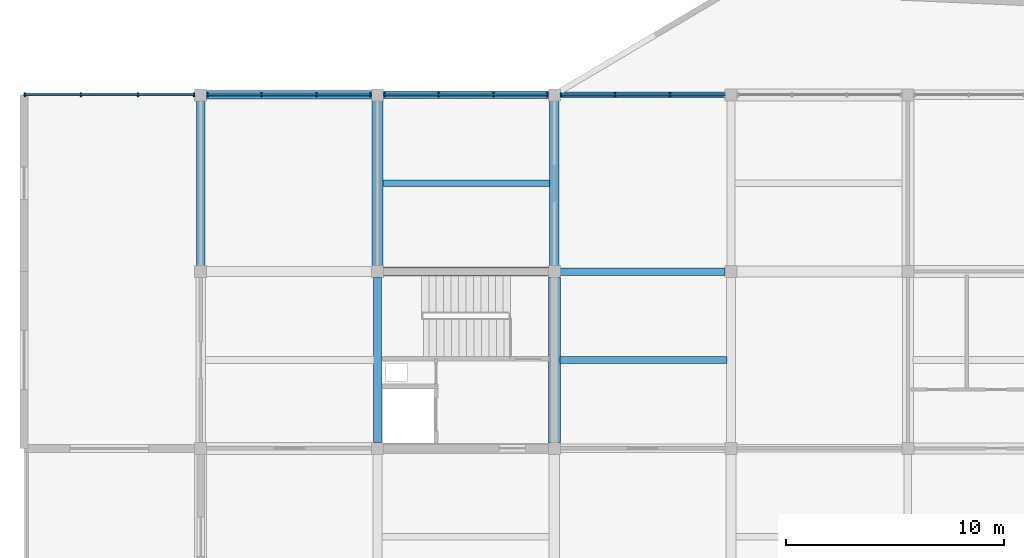
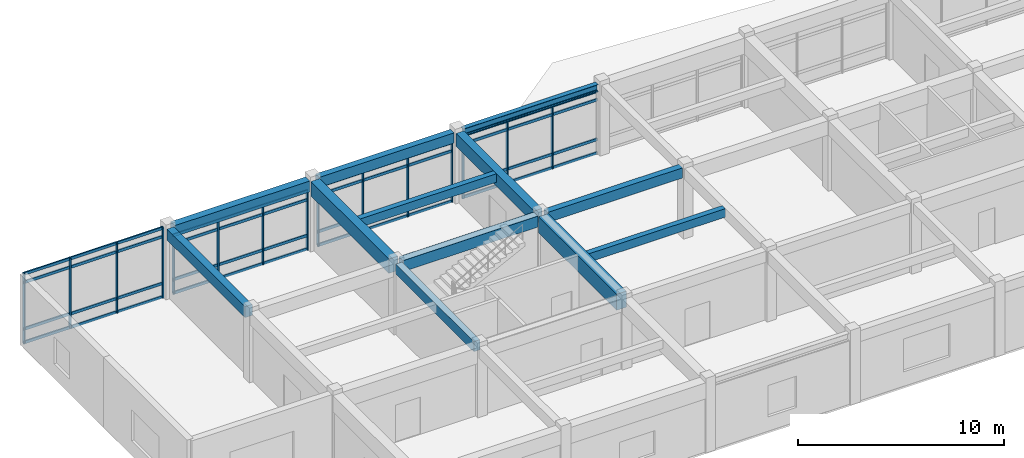
# One storey, part 9 of 42: 31 members, 12 beams, 4 elements without a shape of their own.
"""IFC4 building model written with IfcOpenShell, lengths in metres."""

from ifc_helpers import new_model, si_unit, direction, frame, origin, origin_2d, place, context, subcontext, project, spatial, rectangle, i_section, extrude, material, layer, layer_set, material_profile, profile_set, type_object, element, aggregate, save


model = new_model("IFC4")

# Units and contexts
model_context = context("Model", 3, precision=1e-05, world=origin(), true_north=direction((0.0, 1.0)))
body_context = subcontext(model_context, "Body", "Model", "MODEL_VIEW")
ifc_project = project(units=[si_unit("LENGTHUNIT", "METRE"), si_unit("AREAUNIT", "SQUARE_METRE"), si_unit("VOLUMEUNIT", "CUBIC_METRE"), si_unit("PLANEANGLEUNIT", "RADIAN"), si_unit("MASSUNIT", "GRAM", prefix="KILO")], contexts=[model_context])

# Site, building, storey
site_placement = place(None, origin())
site = spatial("IfcSite", under=ifc_project, at=site_placement, CompositionType="ELEMENT")
building_placement = place(site_placement, origin())
building = spatial("IfcBuilding", under=site, at=building_placement, Name="Vaudrelin Polytechnic", CompositionType="ELEMENT")
storey_placement = place(building_placement, frame((0.0, 0.0, 18.530029296875)))
storey = spatial("IfcBuildingStorey", under=building, at=storey_placement, Name="L04", CompositionType="ELEMENT", Elevation=18.530029296875)

# Beams
ifc_material_1 = material(Name="Concrete 40 MPa", Category="concrete")
ifc_material_profile_1 = material_profile(ifc_material_1, rectangle(XDim=0.35009765625, YDim=0.60009765625, at=origin_2d()), Name="RC350x600")
ifc_profile_set_1 = profile_set([ifc_material_profile_1], Name="Concrete 40 MPa")
beam_type_1 = type_object("IfcBeamType", Name="BM-BM-RC3560", PredefinedType="BEAM", material=ifc_profile_set_1)
beam_1_placement = place(storey_placement, frame((16.199951171875, 105.56005859375, 3.85986328125), z_axis=(0.0, 1.0, 0.0), x_axis=(-1.0, 0.0, 0.0)))
element("IfcBeam", 1, at=beam_1_placement, inside=storey, type_object=beam_type_1, Name="L04 Y-beam 3-14", PredefinedType="BEAM", context=body_context, shape_type="SweptSolid", body=[
    extrude(rectangle(XDim=0.35009765625, YDim=0.60009765625, at=origin_2d()), origin(), (0.0, 0.0, 1.0), 7.579833984375),
])
beam_2_placement = place(storey_placement, frame((16.470947265625, 121.5, 3.85986328125), z_axis=(1.0, 0.0, 0.0), x_axis=(0.0, 1.0, 0.0)))
element("IfcBeam", 2, at=beam_2_placement, inside=storey, type_object=beam_type_1, Name="L04 X-beam 3-16", PredefinedType="BEAM", context=body_context, shape_type="SweptSolid", body=[
    extrude(rectangle(XDim=0.35009765625, YDim=0.60009765625, at=origin_2d()), origin(), (0.0, 0.0, 1.0), 7.55810546875),
])
beam_3_placement = place(storey_placement, frame((24.571044921875, 113.39990234375, 3.85986328125), z_axis=(1.0, 0.0, 0.0), x_axis=(0.0, 1.0, 0.0)))
element("IfcBeam", 3, at=beam_3_placement, inside=storey, type_object=beam_type_1, Name="L04 X-beam 4-15", PredefinedType="BEAM", context=body_context, shape_type="SweptSolid", body=[
    extrude(rectangle(XDim=0.35009765625, YDim=0.60009765625, at=origin_2d()), origin(), (0.0, 0.0, 1.0), 7.557861328125),
])
ifc_material_profile_2 = material_profile(ifc_material_1, rectangle(XDim=0.39990234375, YDim=0.64990234375, at=origin_2d()), Name="RC400x650")
ifc_profile_set_2 = profile_set([ifc_material_profile_2], Name="Concrete 40 MPa")
beam_type_2 = type_object("IfcBeamType", Name="BM-BM-RC4065", PredefinedType="BEAM", material=ifc_profile_set_2)
beam_4_placement = place(storey_placement, frame((8.10009765625, 113.659912109375, 3.8349609375), z_axis=(0.0, 1.0, 0.0), x_axis=(-1.0, 0.0, 0.0)))
element("IfcBeam", 4, at=beam_4_placement, inside=storey, type_object=beam_type_2, Name="L04 Y-beam 2-15", PredefinedType="BEAM", context=body_context, shape_type="SweptSolid", body=[
    extrude(rectangle(XDim=0.39990234375, YDim=0.64990234375, at=origin_2d()), origin(), (0.0, 0.0, 1.0), 7.580078125),
])
beam_5_placement = place(storey_placement, frame((8.37109375, 121.5, 3.8349609375), z_axis=(1.0, 0.0, 0.0), x_axis=(0.0, 1.0, 0.0)))
element("IfcBeam", 5, at=beam_5_placement, inside=storey, type_object=beam_type_2, Name="L04 X-beam 2-16", PredefinedType="BEAM", context=body_context, shape_type="SweptSolid", body=[
    extrude(rectangle(XDim=0.39990234375, YDim=0.64990234375, at=origin_2d()), origin(), (0.0, 0.0, 1.0), 7.557861328125),
])
beam_6_placement = place(storey_placement, frame((16.470947265625, 113.39990234375, 3.8349609375), z_axis=(1.0, 0.0, 0.0), x_axis=(0.0, 1.0, 0.0)))
element("IfcBeam", 6, at=beam_6_placement, inside=storey, type_object=beam_type_2, Name="L04 X-beam 3-15", PredefinedType="BEAM", context=body_context, shape_type="SweptSolid", body=[
    extrude(rectangle(XDim=0.39990234375, YDim=0.64990234375, at=origin_2d()), origin(), (0.0, 0.0, 1.0), 7.55810546875),
])
ifc_material_profile_3 = material_profile(ifc_material_1, rectangle(XDim=0.449951171875, YDim=0.75, at=origin_2d()), Name="RC450x750")
ifc_profile_set_3 = profile_set([ifc_material_profile_3], Name="Concrete 40 MPa")
beam_type_3 = type_object("IfcBeamType", Name="BM-BM-RC4575", PredefinedType="BEAM", material=ifc_profile_set_3)
beam_7_placement = place(storey_placement, frame((24.300048828125, 113.659912109375, 3.784912109375), z_axis=(0.0, 1.0, 0.0), x_axis=(-1.0, 0.0, 0.0)))
element("IfcBeam", 7, at=beam_7_placement, inside=storey, type_object=beam_type_3, Name="L04 Y-beam 4-15", PredefinedType="BEAM", context=body_context, shape_type="SweptSolid", body=[
    extrude(rectangle(XDim=0.449951171875, YDim=0.75, at=origin_2d()), origin(), (0.0, 0.0, 1.0), 7.580078125),
])
ifc_material_profile_4 = material_profile(ifc_material_1, rectangle(XDim=0.5, YDim=0.85009765625, at=origin_2d()), Name="RC500x850")
ifc_profile_set_4 = profile_set([ifc_material_profile_4], Name="Concrete 40 MPa")
beam_type_4 = type_object("IfcBeamType", Name="BM-BM-RC5085", PredefinedType="BEAM", material=ifc_profile_set_4)
beam_8_placement = place(storey_placement, frame((16.199951171875, 113.659912109375, 3.73486328125), z_axis=(0.0, 1.0, 0.0), x_axis=(-1.0, 0.0, 0.0)))
element("IfcBeam", 8, at=beam_8_placement, inside=storey, type_object=beam_type_4, Name="L04 Y-beam 3-15", PredefinedType="BEAM", context=body_context, shape_type="SweptSolid", body=[
    extrude(rectangle(XDim=0.5, YDim=0.85009765625, at=origin_2d()), origin(), (0.0, 0.0, 1.0), 7.580078125),
])
ifc_material_2 = material(Name="Concrete 50 MPa", Category="concrete")
ifc_material_profile_5 = material_profile(ifc_material_2, rectangle(XDim=0.550048828125, YDim=0.949951171875, at=origin_2d()), Name="RC550x950")
ifc_profile_set_5 = profile_set([ifc_material_profile_5], Name="Concrete 50 MPa")
beam_type_5 = type_object("IfcBeamType", Name="BM-BM-RC5595", PredefinedType="BEAM", material=ifc_profile_set_5)
beam_9_placement = place(storey_placement, frame((24.300048828125, 105.56005859375, 3.68505859375), z_axis=(0.0, 1.0, 0.0), x_axis=(-1.0, 0.0, 0.0)))
element("IfcBeam", 9, at=beam_9_placement, inside=storey, type_object=beam_type_5, Name="L04 Y-beam 4-14", PredefinedType="BEAM", context=body_context, shape_type="SweptSolid", body=[
    extrude(rectangle(XDim=0.550048828125, YDim=0.949951171875, at=origin_2d()), origin(), (0.0, 0.0, 1.0), 7.579833984375),
])
ifc_material_3 = material(Name="Steel CSA G40.21 350WT", Category="steel")
ifc_material_profile_6 = material_profile(ifc_material_3, i_section(OverallWidth=0.260009765625, OverallDepth=0.4150390625, WebThickness=0.010009765625, FlangeThickness=0.016845703125, FilletRadius=0.01611328125, at=origin_2d()), Name="W410x100")
ifc_profile_set_6 = profile_set([ifc_material_profile_6], Name="Steel CSA G40.21 350WT")
beam_type_6 = type_object("IfcBeamType", Name="BM-BM-W410H", PredefinedType="SPANDREL", material=ifc_profile_set_6)
beam_10_placement = place(storey_placement, frame((24.571044921875, 121.5, 3.952392578125), z_axis=(1.0, 0.0, 0.0), x_axis=(0.0, 1.0, 0.0)))
element("IfcBeam", 10, at=beam_10_placement, inside=storey, type_object=beam_type_6, Name="L04 X-beam 4-16", PredefinedType="SPANDREL", context=body_context, shape_type="SweptSolid", body=[
    extrude(i_section(OverallWidth=0.260009765625, OverallDepth=0.4150390625, WebThickness=0.010009765625, FlangeThickness=0.016845703125, FilletRadius=0.01611328125, at=origin_2d()), origin(), (0.0, 0.0, 1.0), 7.557861328125),
])
ifc_material_profile_7 = material_profile(ifc_material_1, rectangle(XDim=0.300048828125, YDim=0.5, at=origin_2d()), Name="RC300x500")
ifc_profile_set_7 = profile_set([ifc_material_profile_7], Name="Concrete 40 MPa")
beam_type_7 = type_object("IfcBeamType", Name="BM-JS-RC3050", PredefinedType="JOIST", material=ifc_profile_set_7)
for number, where, z_axis, x_axis, name in (
    (11, (16.446044921875, 117.449951171875, 3.909912109375), (1.0, 0.0, 0.0), (0.0, 1.0, 0.0), "L04 floor joist 3-15"),
    (12, (24.571044921875, 109.35009765625, 3.909912109375), (1.0, 0.0, 0.0), (0.0, 1.0, 0.0), "L04 floor joist 4-14"),
):
    element("IfcBeam", number, at=place(storey_placement, frame(where, z_axis=z_axis, x_axis=x_axis)), inside=storey, type_object=beam_type_7, Name=name, PredefinedType="JOIST", context=body_context, shape_type="SweptSolid", body=[
        extrude(rectangle(XDim=0.300048828125, YDim=0.5, at=origin_2d()), origin(), (0.0, 0.0, 1.0), 7.633056640625),
    ])

# Curtain wall, members
ifc_material_4 = material(Name="Thermally broken anodised aluminium AA 6063-T6 and low-e triple glazing", Category="aluminium")
ifc_layer = layer(ifc_material_4, 0.199951171875)
ifc_layer_set = layer_set([ifc_layer], Name="Thermally broken anodised aluminium AA 6063-T6 and low-e triple glazing")
curtain_wall_type = type_object("IfcCurtainWallType", Name="CW-CW-STU", PredefinedType="USERDEFINED", material=ifc_layer_set)
curtain_wall_1_placement = place(storey_placement, origin())
curtain_wall_1 = element("IfcCurtainWall", 13, at=curtain_wall_1_placement, inside=storey, type_object=curtain_wall_type, Name="Curtain wall L04 N_V5_00", ObjectType="CURTAIN WALL", PredefinedType="USERDEFINED")
ifc_material_5 = material(Name="Anodised aluminium AA 6063-T6", Category="aluminium")
ifc_material_profile_8 = material_profile(ifc_material_5, rectangle(XDim=0.06494140625, YDim=0.179931640625, at=origin_2d()), Name="CWM-65x180")
ifc_profile_set_8 = profile_set([ifc_material_profile_8], Name="Anodised aluminium AA 6063-T6")
member_type_1 = type_object("IfcMemberType", Name="MEM-CWM-180", PredefinedType="MULLION", material=ifc_profile_set_8)
member_1_placement = place(storey_placement, frame((0.0400390625, 121.5, 0.0), z_axis=(0.0, 0.0, 1.0), x_axis=(1.0, 0.0, 0.0)))
member_1 = element("IfcMember", 14, at=member_1_placement, type_object=member_type_1, Name="N_V5_00 mullion 1", PredefinedType="MULLION", context=body_context, shape_type="SweptSolid", body=[
    extrude(rectangle(XDim=0.06494140625, YDim=0.179931640625, at=origin_2d()), origin(), (0.0, 0.0, 1.0), 4.161865234375),
])
member_2_placement = place(storey_placement, frame((2.60888671875, 121.5, 0.0), z_axis=(0.0, 0.0, 1.0), x_axis=(1.0, 0.0, 0.0)))
member_2 = element("IfcMember", 15, at=member_2_placement, type_object=member_type_1, Name="N_V5_00 mullion 2", PredefinedType="MULLION", context=body_context, shape_type="SweptSolid", body=[
    extrude(rectangle(XDim=0.06494140625, YDim=0.179931640625, at=origin_2d()), origin(), (0.0, 0.0, 1.0), 4.161865234375),
])
member_3_placement = place(storey_placement, frame((5.218017578125, 121.5, 0.0), z_axis=(0.0, 0.0, 1.0), x_axis=(1.0, 0.0, 0.0)))
member_3 = element("IfcMember", 16, at=member_3_placement, type_object=member_type_1, Name="N_V5_00 mullion 3", PredefinedType="MULLION", context=body_context, shape_type="SweptSolid", body=[
    extrude(rectangle(XDim=0.06494140625, YDim=0.179931640625, at=origin_2d()), origin(), (0.0, 0.0, 1.0), 4.161865234375),
])
member_4_placement = place(storey_placement, frame((7.787109375, 121.5, 0.0), z_axis=(0.0, 0.0, 1.0), x_axis=(1.0, 0.0, 0.0)))
member_4 = element("IfcMember", 17, at=member_4_placement, type_object=member_type_1, Name="N_V5_00 mullion 4", PredefinedType="MULLION", context=body_context, shape_type="SweptSolid", body=[
    extrude(rectangle(XDim=0.06494140625, YDim=0.179931640625, at=origin_2d()), origin(), (0.0, 0.0, 1.0), 4.161865234375),
])

curtain_wall_2_placement = place(storey_placement, origin())
curtain_wall_2 = element("IfcCurtainWall", 18, at=curtain_wall_2_placement, inside=storey, type_object=curtain_wall_type, Name="Curtain wall L04 N_V5_01", ObjectType="CURTAIN WALL", PredefinedType="USERDEFINED")
member_5_placement = place(storey_placement, frame((8.4130859375, 121.5, 0.0), z_axis=(0.0, 0.0, 1.0), x_axis=(1.0, 0.0, 0.0)))
member_5 = element("IfcMember", 19, at=member_5_placement, type_object=member_type_1, Name="N_V5_01 mullion 1", PredefinedType="MULLION", context=body_context, shape_type="SweptSolid", body=[
    extrude(rectangle(XDim=0.06494140625, YDim=0.179931640625, at=origin_2d()), origin(), (0.0, 0.0, 1.0), 3.511962890625),
])
member_6_placement = place(storey_placement, frame((10.89111328125, 121.5, 0.0), z_axis=(0.0, 0.0, 1.0), x_axis=(1.0, 0.0, 0.0)))
member_6 = element("IfcMember", 20, at=member_6_placement, type_object=member_type_1, Name="N_V5_01 mullion 2", PredefinedType="MULLION", context=body_context, shape_type="SweptSolid", body=[
    extrude(rectangle(XDim=0.06494140625, YDim=0.179931640625, at=origin_2d()), origin(), (0.0, 0.0, 1.0), 3.511962890625),
])
member_7_placement = place(storey_placement, frame((13.408935546875, 121.5, 0.0), z_axis=(0.0, 0.0, 1.0), x_axis=(1.0, 0.0, 0.0)))
member_7 = element("IfcMember", 21, at=member_7_placement, type_object=member_type_1, Name="N_V5_01 mullion 3", PredefinedType="MULLION", context=body_context, shape_type="SweptSolid", body=[
    extrude(rectangle(XDim=0.06494140625, YDim=0.179931640625, at=origin_2d()), origin(), (0.0, 0.0, 1.0), 3.511962890625),
])
member_8_placement = place(storey_placement, frame((15.886962890625, 121.5, 0.0), z_axis=(0.0, 0.0, 1.0), x_axis=(1.0, 0.0, 0.0)))
member_8 = element("IfcMember", 22, at=member_8_placement, type_object=member_type_1, Name="N_V5_01 mullion 4", PredefinedType="MULLION", context=body_context, shape_type="SweptSolid", body=[
    extrude(rectangle(XDim=0.06494140625, YDim=0.179931640625, at=origin_2d()), origin(), (0.0, 0.0, 1.0), 3.511962890625),
])

curtain_wall_3_placement = place(storey_placement, origin())
curtain_wall_3 = element("IfcCurtainWall", 23, at=curtain_wall_3_placement, inside=storey, type_object=curtain_wall_type, Name="Curtain wall L04 N_V5_02", ObjectType="CURTAIN WALL", PredefinedType="USERDEFINED")
member_9_placement = place(storey_placement, frame((16.512939453125, 121.5, 0.0), z_axis=(0.0, 0.0, 1.0), x_axis=(1.0, 0.0, 0.0)))
member_9 = element("IfcMember", 24, at=member_9_placement, type_object=member_type_1, Name="N_V5_02 mullion 1", PredefinedType="MULLION", context=body_context, shape_type="SweptSolid", body=[
    extrude(rectangle(XDim=0.06494140625, YDim=0.179931640625, at=origin_2d()), origin(), (0.0, 0.0, 1.0), 3.56201171875),
])
member_10_placement = place(storey_placement, frame((18.990966796875, 121.5, 0.0), z_axis=(0.0, 0.0, 1.0), x_axis=(1.0, 0.0, 0.0)))
member_10 = element("IfcMember", 25, at=member_10_placement, type_object=member_type_1, Name="N_V5_02 mullion 2", PredefinedType="MULLION", context=body_context, shape_type="SweptSolid", body=[
    extrude(rectangle(XDim=0.06494140625, YDim=0.179931640625, at=origin_2d()), origin(), (0.0, 0.0, 1.0), 3.56201171875),
])
member_11_placement = place(storey_placement, frame((21.509033203125, 121.5, 0.0), z_axis=(0.0, 0.0, 1.0), x_axis=(1.0, 0.0, 0.0)))
member_11 = element("IfcMember", 26, at=member_11_placement, type_object=member_type_1, Name="N_V5_02 mullion 3", PredefinedType="MULLION", context=body_context, shape_type="SweptSolid", body=[
    extrude(rectangle(XDim=0.06494140625, YDim=0.179931640625, at=origin_2d()), origin(), (0.0, 0.0, 1.0), 3.56201171875),
])
member_12_placement = place(storey_placement, frame((23.987060546875, 121.5, 0.0), z_axis=(0.0, 0.0, 1.0), x_axis=(1.0, 0.0, 0.0)))
member_12 = element("IfcMember", 27, at=member_12_placement, type_object=member_type_1, Name="N_V5_02 mullion 4", PredefinedType="MULLION", context=body_context, shape_type="SweptSolid", body=[
    extrude(rectangle(XDim=0.06494140625, YDim=0.179931640625, at=origin_2d()), origin(), (0.0, 0.0, 1.0), 3.56201171875),
])

curtain_wall_4_placement = place(storey_placement, origin())
curtain_wall_4 = element("IfcCurtainWall", 28, at=curtain_wall_4_placement, inside=storey, type_object=curtain_wall_type, Name="Curtain wall L04 N_V5_03", ObjectType="CURTAIN WALL", PredefinedType="USERDEFINED")
member_13_placement = place(storey_placement, frame((24.613037109375, 121.5, 0.0), z_axis=(0.0, 0.0, 1.0), x_axis=(1.0, 0.0, 0.0)))
member_13 = element("IfcMember", 29, at=member_13_placement, type_object=member_type_1, Name="N_V5_03 mullion 1", PredefinedType="MULLION", context=body_context, shape_type="SweptSolid", body=[
    extrude(rectangle(XDim=0.06494140625, YDim=0.179931640625, at=origin_2d()), origin(), (0.0, 0.0, 1.0), 3.7470703125),
])
member_14_placement = place(storey_placement, frame((27.091064453125, 121.5, 0.0), z_axis=(0.0, 0.0, 1.0), x_axis=(1.0, 0.0, 0.0)))
member_14 = element("IfcMember", 30, at=member_14_placement, type_object=member_type_1, Name="N_V5_03 mullion 2", PredefinedType="MULLION", context=body_context, shape_type="SweptSolid", body=[
    extrude(rectangle(XDim=0.06494140625, YDim=0.179931640625, at=origin_2d()), origin(), (0.0, 0.0, 1.0), 3.7470703125),
])
member_15_placement = place(storey_placement, frame((29.60888671875, 121.5, 0.0), z_axis=(0.0, 0.0, 1.0), x_axis=(1.0, 0.0, 0.0)))
member_15 = element("IfcMember", 31, at=member_15_placement, type_object=member_type_1, Name="N_V5_03 mullion 3", PredefinedType="MULLION", context=body_context, shape_type="SweptSolid", body=[
    extrude(rectangle(XDim=0.06494140625, YDim=0.179931640625, at=origin_2d()), origin(), (0.0, 0.0, 1.0), 3.7470703125),
])

# Member
ifc_material_profile_9 = material_profile(ifc_material_5, rectangle(XDim=0.074951171875, YDim=0.1650390625, at=origin_2d()), Name="CWT-75x165")
ifc_profile_set_9 = profile_set([ifc_material_profile_9], Name="Anodised aluminium AA 6063-T6")
member_type_2 = type_object("IfcMemberType", Name="MEM-CWT-165", PredefinedType="USERDEFINED", material=ifc_profile_set_9)
member_16_placement = place(storey_placement, frame((0.0, 121.5, 0.050048828125), z_axis=(1.0, 0.0, 0.0), x_axis=(0.0, 1.0, 0.0)))
member_16 = element("IfcMember", 32, at=member_16_placement, type_object=member_type_2, Name="N_V5_00 transom 1", ObjectType="TRANSOM", PredefinedType="USERDEFINED", context=body_context, shape_type="SweptSolid", body=[
    extrude(rectangle(XDim=0.074951171875, YDim=0.1650390625, at=origin_2d()), origin(), (0.0, 0.0, 1.0), 7.826904296875),
])

member_17_placement = place(storey_placement, frame((0.0, 121.5, 0.849853515625), z_axis=(1.0, 0.0, 0.0), x_axis=(0.0, 1.0, 0.0)))
member_17 = element("IfcMember", 33, at=member_17_placement, type_object=member_type_2, Name="N_V5_00 transom 2", ObjectType="TRANSOM", PredefinedType="USERDEFINED", context=body_context, shape_type="SweptSolid", body=[
    extrude(rectangle(XDim=0.074951171875, YDim=0.1650390625, at=origin_2d()), origin(), (0.0, 0.0, 1.0), 7.826904296875),
])

member_18_placement = place(storey_placement, frame((0.0, 121.5, 3.612060546875), z_axis=(1.0, 0.0, 0.0), x_axis=(0.0, 1.0, 0.0)))
member_18 = element("IfcMember", 34, at=member_18_placement, type_object=member_type_2, Name="N_V5_00 transom 3", ObjectType="TRANSOM", PredefinedType="USERDEFINED", context=body_context, shape_type="SweptSolid", body=[
    extrude(rectangle(XDim=0.074951171875, YDim=0.1650390625, at=origin_2d()), origin(), (0.0, 0.0, 1.0), 7.826904296875),
])

member_19_placement = place(storey_placement, frame((0.0, 121.5, 4.112060546875), z_axis=(1.0, 0.0, 0.0), x_axis=(0.0, 1.0, 0.0)))
member_19 = element("IfcMember", 35, at=member_19_placement, type_object=member_type_2, Name="N_V5_00 transom 4", ObjectType="TRANSOM", PredefinedType="USERDEFINED", context=body_context, shape_type="SweptSolid", body=[
    extrude(rectangle(XDim=0.074951171875, YDim=0.1650390625, at=origin_2d()), origin(), (0.0, 0.0, 1.0), 7.826904296875),
])

aggregate(curtain_wall_1, [member_1, member_2, member_3, member_4, member_16, member_17, member_18, member_19])

member_20_placement = place(storey_placement, frame((8.373046875, 121.5, 0.050048828125), z_axis=(1.0, 0.0, 0.0), x_axis=(0.0, 1.0, 0.0)))
member_20 = element("IfcMember", 36, at=member_20_placement, type_object=member_type_2, Name="N_V5_01 transom 1", ObjectType="TRANSOM", PredefinedType="USERDEFINED", context=body_context, shape_type="SweptSolid", body=[
    extrude(rectangle(XDim=0.074951171875, YDim=0.1650390625, at=origin_2d()), origin(), (0.0, 0.0, 1.0), 7.553955078125),
])

member_21_placement = place(storey_placement, frame((8.373046875, 121.5, 0.849853515625), z_axis=(1.0, 0.0, 0.0), x_axis=(0.0, 1.0, 0.0)))
member_21 = element("IfcMember", 37, at=member_21_placement, type_object=member_type_2, Name="N_V5_01 transom 2", ObjectType="TRANSOM", PredefinedType="USERDEFINED", context=body_context, shape_type="SweptSolid", body=[
    extrude(rectangle(XDim=0.074951171875, YDim=0.1650390625, at=origin_2d()), origin(), (0.0, 0.0, 1.0), 7.553955078125),
])

member_22_placement = place(storey_placement, frame((8.373046875, 121.5, 2.9619140625), z_axis=(1.0, 0.0, 0.0), x_axis=(0.0, 1.0, 0.0)))
member_22 = element("IfcMember", 38, at=member_22_placement, type_object=member_type_2, Name="N_V5_01 transom 3", ObjectType="TRANSOM", PredefinedType="USERDEFINED", context=body_context, shape_type="SweptSolid", body=[
    extrude(rectangle(XDim=0.074951171875, YDim=0.1650390625, at=origin_2d()), origin(), (0.0, 0.0, 1.0), 7.553955078125),
])

member_23_placement = place(storey_placement, frame((8.373046875, 121.5, 3.4619140625), z_axis=(1.0, 0.0, 0.0), x_axis=(0.0, 1.0, 0.0)))
member_23 = element("IfcMember", 39, at=member_23_placement, type_object=member_type_2, Name="N_V5_01 transom 4", ObjectType="TRANSOM", PredefinedType="USERDEFINED", context=body_context, shape_type="SweptSolid", body=[
    extrude(rectangle(XDim=0.074951171875, YDim=0.1650390625, at=origin_2d()), origin(), (0.0, 0.0, 1.0), 7.553955078125),
])

aggregate(curtain_wall_2, [member_5, member_6, member_7, member_8, member_20, member_21, member_22, member_23])

member_24_placement = place(storey_placement, frame((16.472900390625, 121.5, 0.050048828125), z_axis=(1.0, 0.0, 0.0), x_axis=(0.0, 1.0, 0.0)))
member_24 = element("IfcMember", 40, at=member_24_placement, type_object=member_type_2, Name="N_V5_02 transom 1", ObjectType="TRANSOM", PredefinedType="USERDEFINED", context=body_context, shape_type="SweptSolid", body=[
    extrude(rectangle(XDim=0.074951171875, YDim=0.1650390625, at=origin_2d()), origin(), (0.0, 0.0, 1.0), 7.55419921875),
])

member_25_placement = place(storey_placement, frame((16.472900390625, 121.5, 0.849853515625), z_axis=(1.0, 0.0, 0.0), x_axis=(0.0, 1.0, 0.0)))
member_25 = element("IfcMember", 41, at=member_25_placement, type_object=member_type_2, Name="N_V5_02 transom 2", ObjectType="TRANSOM", PredefinedType="USERDEFINED", context=body_context, shape_type="SweptSolid", body=[
    extrude(rectangle(XDim=0.074951171875, YDim=0.1650390625, at=origin_2d()), origin(), (0.0, 0.0, 1.0), 7.55419921875),
])

member_26_placement = place(storey_placement, frame((16.472900390625, 121.5, 3.011962890625), z_axis=(1.0, 0.0, 0.0), x_axis=(0.0, 1.0, 0.0)))
member_26 = element("IfcMember", 42, at=member_26_placement, type_object=member_type_2, Name="N_V5_02 transom 3", ObjectType="TRANSOM", PredefinedType="USERDEFINED", context=body_context, shape_type="SweptSolid", body=[
    extrude(rectangle(XDim=0.074951171875, YDim=0.1650390625, at=origin_2d()), origin(), (0.0, 0.0, 1.0), 7.55419921875),
])

member_27_placement = place(storey_placement, frame((16.472900390625, 121.5, 3.511962890625), z_axis=(1.0, 0.0, 0.0), x_axis=(0.0, 1.0, 0.0)))
member_27 = element("IfcMember", 43, at=member_27_placement, type_object=member_type_2, Name="N_V5_02 transom 4", ObjectType="TRANSOM", PredefinedType="USERDEFINED", context=body_context, shape_type="SweptSolid", body=[
    extrude(rectangle(XDim=0.074951171875, YDim=0.1650390625, at=origin_2d()), origin(), (0.0, 0.0, 1.0), 7.55419921875),
])

aggregate(curtain_wall_3, [member_9, member_10, member_11, member_12, member_24, member_25, member_26, member_27])

member_28_placement = place(storey_placement, frame((24.572998046875, 121.5, 0.050048828125), z_axis=(1.0, 0.0, 0.0), x_axis=(0.0, 1.0, 0.0)))
member_28 = element("IfcMember", 44, at=member_28_placement, type_object=member_type_2, Name="N_V5_03 transom 1", ObjectType="TRANSOM", PredefinedType="USERDEFINED", context=body_context, shape_type="SweptSolid", body=[
    extrude(rectangle(XDim=0.074951171875, YDim=0.1650390625, at=origin_2d()), origin(), (0.0, 0.0, 1.0), 7.553955078125),
])

member_29_placement = place(storey_placement, frame((24.572998046875, 121.5, 0.849853515625), z_axis=(1.0, 0.0, 0.0), x_axis=(0.0, 1.0, 0.0)))
member_29 = element("IfcMember", 45, at=member_29_placement, type_object=member_type_2, Name="N_V5_03 transom 2", ObjectType="TRANSOM", PredefinedType="USERDEFINED", context=body_context, shape_type="SweptSolid", body=[
    extrude(rectangle(XDim=0.074951171875, YDim=0.1650390625, at=origin_2d()), origin(), (0.0, 0.0, 1.0), 7.553955078125),
])

member_30_placement = place(storey_placement, frame((24.572998046875, 121.5, 3.197021484375), z_axis=(1.0, 0.0, 0.0), x_axis=(0.0, 1.0, 0.0)))
member_30 = element("IfcMember", 46, at=member_30_placement, type_object=member_type_2, Name="N_V5_03 transom 3", ObjectType="TRANSOM", PredefinedType="USERDEFINED", context=body_context, shape_type="SweptSolid", body=[
    extrude(rectangle(XDim=0.074951171875, YDim=0.1650390625, at=origin_2d()), origin(), (0.0, 0.0, 1.0), 7.553955078125),
])

member_31_placement = place(storey_placement, frame((24.572998046875, 121.5, 3.697021484375), z_axis=(1.0, 0.0, 0.0), x_axis=(0.0, 1.0, 0.0)))
member_31 = element("IfcMember", 47, at=member_31_placement, type_object=member_type_2, Name="N_V5_03 transom 4", ObjectType="TRANSOM", PredefinedType="USERDEFINED", context=body_context, shape_type="SweptSolid", body=[
    extrude(rectangle(XDim=0.074951171875, YDim=0.1650390625, at=origin_2d()), origin(), (0.0, 0.0, 1.0), 7.553955078125),
])

aggregate(curtain_wall_4, [member_13, member_14, member_15, member_28, member_29, member_30, member_31])

save(model, "model.ifc")
